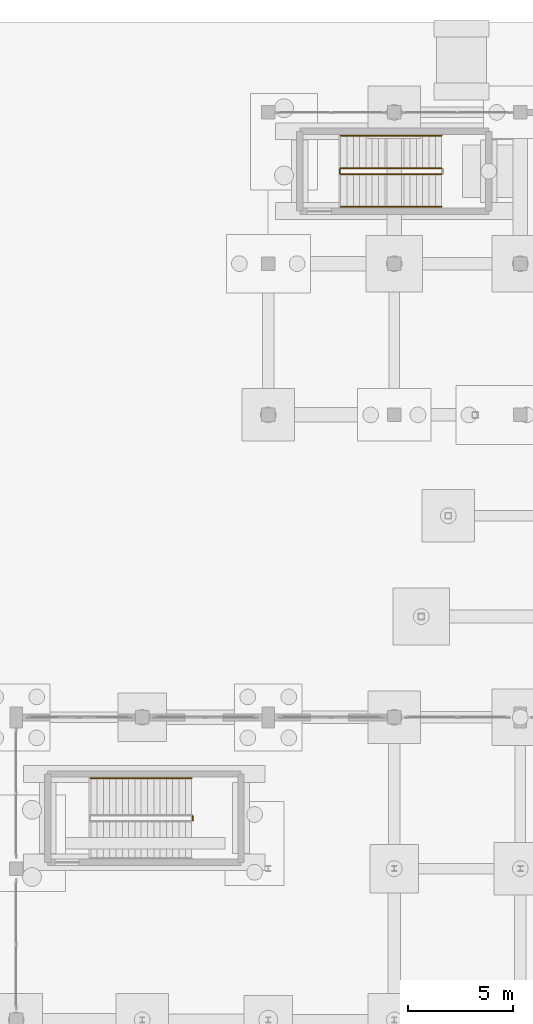
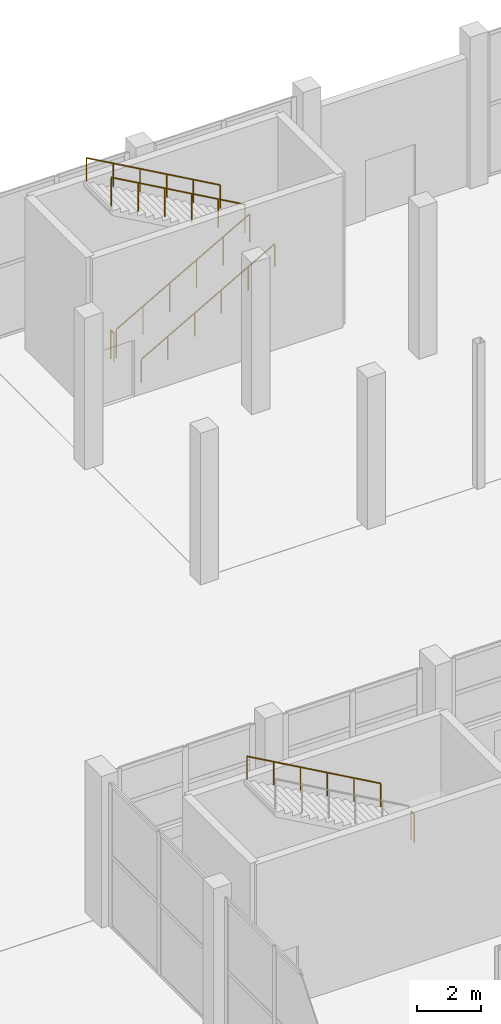
# One storey, part 98 of 103: 7 railings.
"""IFC4 building model written with IfcOpenShell, lengths in metres."""

from ifc_helpers import new_model, si_unit, direction, frame, origin, origin_2d, place, context, subcontext, project, spatial, circle, extrude, material, type_object, element, save


model = new_model("IFC4")

# Units and contexts
model_context = context("Model", 3, precision=1e-05, world=origin(), true_north=direction((0.0, 1.0)))
body_context = subcontext(model_context, "Body", "Model", "MODEL_VIEW")
ifc_project = project(units=[si_unit("LENGTHUNIT", "METRE"), si_unit("AREAUNIT", "SQUARE_METRE"), si_unit("VOLUMEUNIT", "CUBIC_METRE"), si_unit("PLANEANGLEUNIT", "RADIAN"), si_unit("MASSUNIT", "GRAM", prefix="KILO")], contexts=[model_context])

# Site, building, storey
site_placement = place(None, origin())
site = spatial("IfcSite", under=ifc_project, at=site_placement, CompositionType="ELEMENT")
building_placement = place(site_placement, origin())
building = spatial("IfcBuilding", under=site, at=building_placement, Name="Dunvalen Ferry Terminal", CompositionType="ELEMENT")
storey_placement = place(building_placement, origin())
storey = spatial("IfcBuildingStorey", under=building, at=storey_placement, Name="L00", CompositionType="ELEMENT", Elevation=0.0)

# Railings
ifc_material_1 = material(Name="Painted galvanised steel S275", Category="steel")
railing_type_1 = type_object("IfcRailingType", Name="INT-RL-STGRD", PredefinedType="GUARDRAIL", material=ifc_material_1)
railing_1_placement = place(storey_placement, frame((116.39990234375, 81.5, 2.8798828125)))
element("IfcRailing", 1, at=railing_1_placement, inside=storey, type_object=railing_type_1, Name="L00 ST10 stair guard 2", PredefinedType="GUARDRAIL", context=body_context, shape_type="SweptSolid", body=[
    extrude(circle(Radius=0.02392578125, at=origin_2d()), frame((0.0, 0.0, 1.076171875), z_axis=(0.0, 1.0, 0.0), x_axis=(-1.0, 0.0, 0.0)), (0.0, 0.0, 1.0), 0.199951171875),
    extrude(circle(Radius=0.02099609375, at=origin_2d()), origin(), (0.0, 0.0, 1.0), 1.052001953125),
    extrude(circle(Radius=0.02099609375, at=origin_2d()), frame((0.0, 0.199951171875, 0.0)), (0.0, 0.0, 1.0), 1.052001953125),
])
railing_2_placement = place(storey_placement, frame((123.449951171875, 112.25, 0.16943359375)))
element("IfcRailing", 2, at=railing_2_placement, inside=storey, type_object=railing_type_1, Name="L00 ST12 stair guard 1", PredefinedType="GUARDRAIL", context=body_context, shape_type="SweptSolid", body=[
    extrude(circle(Radius=0.02392578125, at=origin_2d()), frame((0.0, 0.0, 1.076171875), z_axis=(0.870766506294, 0.0, 0.491696747514), x_axis=(0.0, 1.0, 0.0)), (0.0, 0.0, 1.0), 5.512451171875),
    extrude(circle(Radius=0.02099609375, at=origin_2d()), origin(), (0.0, 0.0, 1.0), 1.052001953125),
    extrude(circle(Radius=0.02099609375, at=origin_2d()), frame((0.9599609375, 0.0, 0.5419921875)), (0.0, 0.0, 1.0), 1.052001953125),
    extrude(circle(Radius=0.02099609375, at=origin_2d()), frame((1.919921875, 0.0, 1.084228515625)), (0.0, 0.0, 1.0), 1.052001953125),
    extrude(circle(Radius=0.02099609375, at=origin_2d()), frame((2.880126953125, 0.0, 1.626220703125)), (0.0, 0.0, 1.0), 1.052001953125),
    extrude(circle(Radius=0.02099609375, at=origin_2d()), frame((3.840087890625, 0.0, 2.16845703125)), (0.0, 0.0, 1.0), 1.052001953125),
    extrude(circle(Radius=0.02099609375, at=origin_2d()), frame((4.800048828125, 0.0, 2.71044921875)), (0.0, 0.0, 1.0), 1.052001953125),
])
railing_3_placement = place(storey_placement, frame((128.25, 112.550048828125, 3.04931640625)))
element("IfcRailing", 3, at=railing_3_placement, inside=storey, type_object=railing_type_1, Name="L00 ST12 stair guard 3", PredefinedType="GUARDRAIL", context=body_context, shape_type="SweptSolid", body=[
    extrude(circle(Radius=0.02392578125, at=origin_2d()), frame((0.0, 0.0, 1.076171875), z_axis=(-0.870747543578, 0.0, 0.491730327875), x_axis=(0.0, -1.0, 0.0)), (0.0, 0.0, 1.0), 5.512451171875),
    extrude(circle(Radius=0.02099609375, at=origin_2d()), origin(), (0.0, 0.0, 1.0), 1.052001953125),
    extrude(circle(Radius=0.02099609375, at=origin_2d()), frame((-0.9599609375, 0.0, 0.542236328125)), (0.0, 0.0, 1.0), 1.052001953125),
    extrude(circle(Radius=0.02099609375, at=origin_2d()), frame((-1.919921875, 0.0, 1.084228515625)), (0.0, 0.0, 1.0), 1.052001953125),
    extrude(circle(Radius=0.02099609375, at=origin_2d()), frame((-2.880126953125, 0.0, 1.62646484375)), (0.0, 0.0, 1.0), 1.052001953125),
    extrude(circle(Radius=0.02099609375, at=origin_2d()), frame((-3.840087890625, 0.0, 2.16845703125)), (0.0, 0.0, 1.0), 1.052001953125),
    extrude(circle(Radius=0.02099609375, at=origin_2d()), frame((-4.800048828125, 0.0, 2.710693359375)), (0.0, 0.0, 1.0), 1.052001953125),
])
railing_4_placement = place(storey_placement, frame((123.39990234375, 112.300048828125, 0.0)))
element("IfcRailing", 4, at=railing_4_placement, inside=storey, type_object=railing_type_1, Name="L00 ST12 stair guard 4", PredefinedType="GUARDRAIL", context=body_context, shape_type="SweptSolid", body=[
    extrude(circle(Radius=0.02392578125, at=origin_2d()), frame((0.0, 0.0, 1.076171875), z_axis=(0.0, 1.0, 0.0), x_axis=(-1.0, 0.0, 0.0)), (0.0, 0.0, 1.0), 0.199951171875),
    extrude(circle(Radius=0.02099609375, at=origin_2d()), origin(), (0.0, 0.0, 1.0), 1.052001953125),
    extrude(circle(Radius=0.02099609375, at=origin_2d()), frame((0.0, 0.199951171875, 0.0)), (0.0, 0.0, 1.0), 1.052001953125),
])
ifc_material_2 = material(Name="Brushed 316 stainless steel", Category="steel")
railing_type_2 = type_object("IfcRailingType", Name="INT-RL-STHND", PredefinedType="HANDRAIL", material=ifc_material_2)
railing_5_placement = place(storey_placement, frame((116.35009765625, 83.5, 3.04931640625)))
element("IfcRailing", 5, at=railing_5_placement, inside=storey, type_object=railing_type_2, Name="L00 ST10 stair handrail 2", PredefinedType="HANDRAIL", context=body_context, shape_type="SweptSolid", body=[
    extrude(circle(Radius=0.02392578125, at=origin_2d()), frame((0.0, 0.0, 0.8759765625), z_axis=(-0.870747543578, 0.0, 0.491730327875), x_axis=(0.0, -1.0, 0.0)), (0.0, 0.0, 1.0), 5.512451171875),
    extrude(circle(Radius=0.02099609375, at=origin_2d()), origin(), (0.0, 0.0, 1.0), 0.851806640625),
    extrude(circle(Radius=0.02099609375, at=origin_2d()), frame((-0.9599609375, 0.0, 0.542236328125)), (0.0, 0.0, 1.0), 0.851806640625),
    extrude(circle(Radius=0.02099609375, at=origin_2d()), frame((-1.919921875, 0.0, 1.084228515625)), (0.0, 0.0, 1.0), 0.851806640625),
    extrude(circle(Radius=0.02099609375, at=origin_2d()), frame((-2.880126953125, 0.0, 1.62646484375)), (0.0, 0.0, 1.0), 0.851806640625),
    extrude(circle(Radius=0.02099609375, at=origin_2d()), frame((-3.840087890625, 0.0, 2.16845703125)), (0.0, 0.0, 1.0), 0.851806640625),
    extrude(circle(Radius=0.02099609375, at=origin_2d()), frame((-4.800048828125, 0.0, 2.710693359375)), (0.0, 0.0, 1.0), 0.851806640625),
])
railing_6_placement = place(storey_placement, frame((123.449951171875, 110.699951171875, 0.16943359375)))
element("IfcRailing", 6, at=railing_6_placement, inside=storey, type_object=railing_type_2, Name="L00 ST12 stair handrail 1", PredefinedType="HANDRAIL", context=body_context, shape_type="SweptSolid", body=[
    extrude(circle(Radius=0.02392578125, at=origin_2d()), frame((0.0, 0.0, 0.8759765625), z_axis=(0.870766506294, 0.0, 0.491696747514), x_axis=(0.0, 1.0, 0.0)), (0.0, 0.0, 1.0), 5.512451171875),
    extrude(circle(Radius=0.02099609375, at=origin_2d()), origin(), (0.0, 0.0, 1.0), 0.851806640625),
    extrude(circle(Radius=0.02099609375, at=origin_2d()), frame((0.9599609375, 0.0, 0.5419921875)), (0.0, 0.0, 1.0), 0.851806640625),
    extrude(circle(Radius=0.02099609375, at=origin_2d()), frame((1.919921875, 0.0, 1.084228515625)), (0.0, 0.0, 1.0), 0.851806640625),
    extrude(circle(Radius=0.02099609375, at=origin_2d()), frame((2.880126953125, 0.0, 1.626220703125)), (0.0, 0.0, 1.0), 0.851806640625),
    extrude(circle(Radius=0.02099609375, at=origin_2d()), frame((3.840087890625, 0.0, 2.16845703125)), (0.0, 0.0, 1.0), 0.851806640625),
    extrude(circle(Radius=0.02099609375, at=origin_2d()), frame((4.800048828125, 0.0, 2.71044921875)), (0.0, 0.0, 1.0), 0.851806640625),
])
railing_7_placement = place(storey_placement, frame((128.25, 114.10009765625, 3.04931640625)))
element("IfcRailing", 7, at=railing_7_placement, inside=storey, type_object=railing_type_2, Name="L00 ST12 stair handrail 2", PredefinedType="HANDRAIL", context=body_context, shape_type="SweptSolid", body=[
    extrude(circle(Radius=0.02392578125, at=origin_2d()), frame((0.0, 0.0, 0.8759765625), z_axis=(-0.870747543578, 0.0, 0.491730327875), x_axis=(0.0, -1.0, 0.0)), (0.0, 0.0, 1.0), 5.512451171875),
    extrude(circle(Radius=0.02099609375, at=origin_2d()), origin(), (0.0, 0.0, 1.0), 0.851806640625),
    extrude(circle(Radius=0.02099609375, at=origin_2d()), frame((-0.9599609375, 0.0, 0.542236328125)), (0.0, 0.0, 1.0), 0.851806640625),
    extrude(circle(Radius=0.02099609375, at=origin_2d()), frame((-1.919921875, 0.0, 1.084228515625)), (0.0, 0.0, 1.0), 0.851806640625),
    extrude(circle(Radius=0.02099609375, at=origin_2d()), frame((-2.880126953125, 0.0, 1.62646484375)), (0.0, 0.0, 1.0), 0.851806640625),
    extrude(circle(Radius=0.02099609375, at=origin_2d()), frame((-3.840087890625, 0.0, 2.16845703125)), (0.0, 0.0, 1.0), 0.851806640625),
    extrude(circle(Radius=0.02099609375, at=origin_2d()), frame((-4.800048828125, 0.0, 2.710693359375)), (0.0, 0.0, 1.0), 0.851806640625),
])

save(model, "model.ifc")
